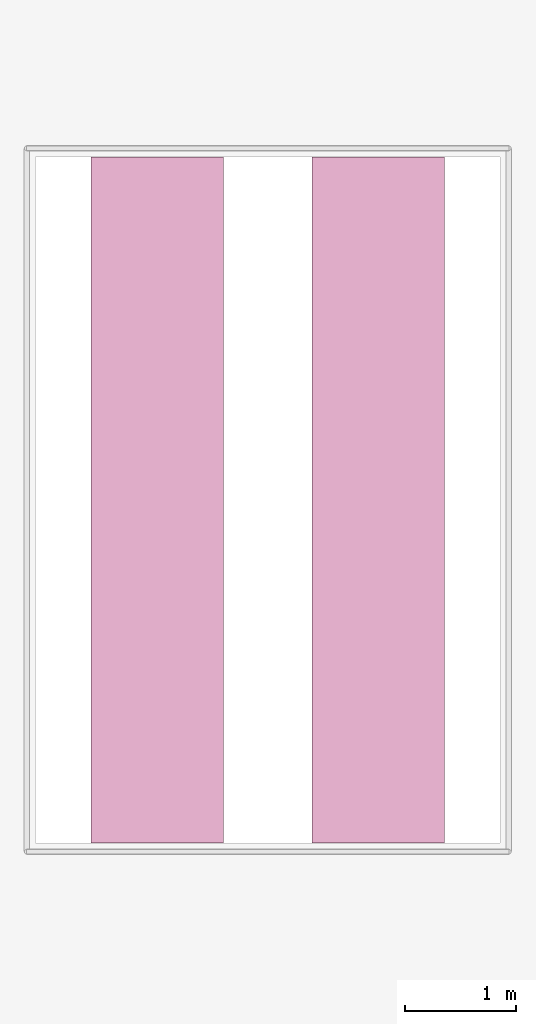
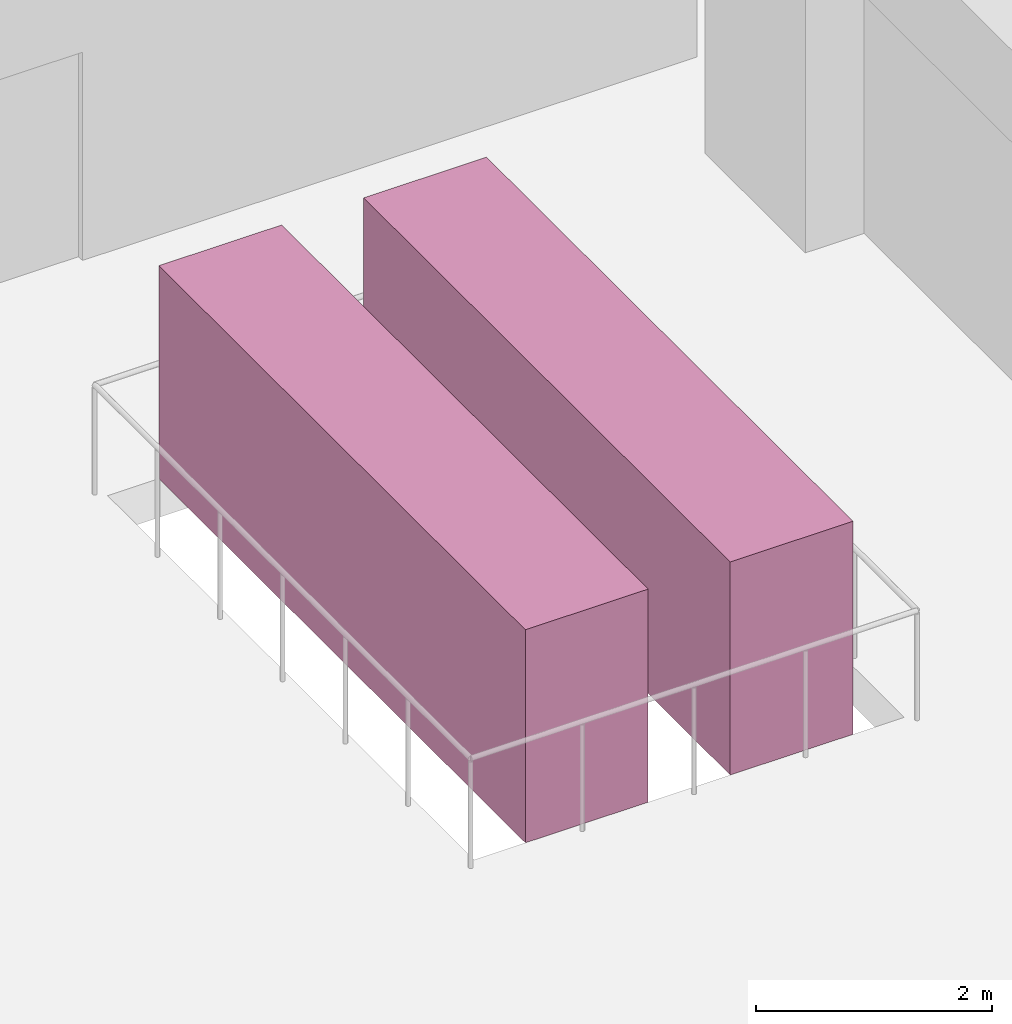
# One storey, part 11 of 11: 2 transport elements.
"""IFC4 building model written with IfcOpenShell, lengths in metres."""

from ifc_helpers import new_model, si_unit, direction, frame, origin, origin_2d, place, context, subcontext, project, spatial, rectangle, extrude, material, type_object, element, save


model = new_model("IFC4")

# Units and contexts
model_context = context("Model", 3, precision=1e-05, world=origin(), true_north=direction((0.0, 1.0)))
body_context = subcontext(model_context, "Body", "Model", "MODEL_VIEW")
ifc_project = project(units=[si_unit("LENGTHUNIT", "METRE"), si_unit("AREAUNIT", "SQUARE_METRE"), si_unit("VOLUMEUNIT", "CUBIC_METRE"), si_unit("PLANEANGLEUNIT", "RADIAN"), si_unit("MASSUNIT", "GRAM", prefix="KILO")], contexts=[model_context])

# Site, building, storey
site_placement = place(None, origin())
site = spatial("IfcSite", under=ifc_project, at=site_placement, CompositionType="ELEMENT")
building_placement = place(site_placement, origin())
building = spatial("IfcBuilding", under=site, at=building_placement, Name="Sulina Concourse Tower", CompositionType="ELEMENT")
storey_placement = place(building_placement, frame((0.0, 0.0, 5.39990234375)))
storey = spatial("IfcBuildingStorey", under=building, at=storey_placement, Name="L01", CompositionType="ELEMENT", Elevation=5.39990234375)

# Transport elements
ifc_material = material(Name="Stainless steel escalator", Category="steel")
transport_element_type = type_object("IfcTransportElementType", Name="Station Concourse Heavy-Duty Transit Escalator", PredefinedType="ESCALATOR", material=ifc_material)
for number, where, z_axis, x_axis, name in (
    (1, (35.10009765625, 13.89990234375, 0.0), (0.0, 0.0, 1.0), (1.0, 0.0, 0.0), "L01 station concourse escalator 03"),
    (2, (37.10009765625, 13.89990234375, 0.0), (0.0, 0.0, 1.0), (1.0, 0.0, 0.0), "L01 station concourse escalator 04"),
):
    element("IfcTransportElement", number, at=place(storey_placement, frame(where, z_axis=z_axis, x_axis=x_axis)), inside=storey, type_object=transport_element_type, Name=name, PredefinedType="ESCALATOR", context=body_context, shape_type="SweptSolid", body=[
        extrude(rectangle(XDim=1.199951171875, YDim=6.199951171875, at=origin_2d()), origin(), (0.0, 0.0, 1.0), 2.199951171875),
    ])

save(model, "model.ifc")
